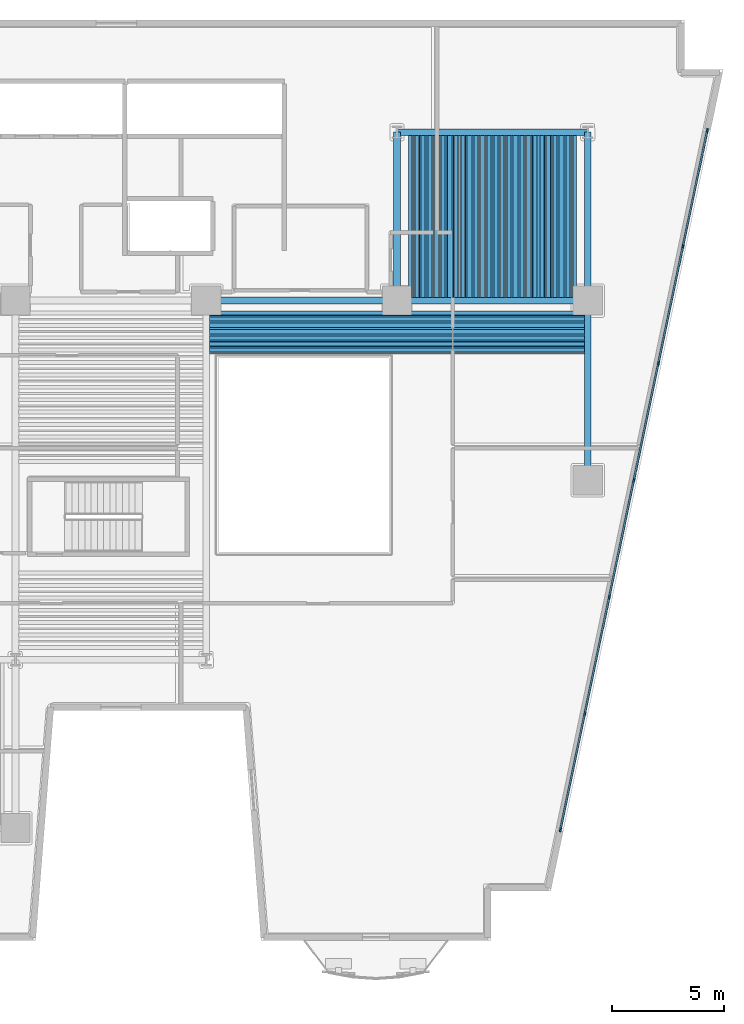
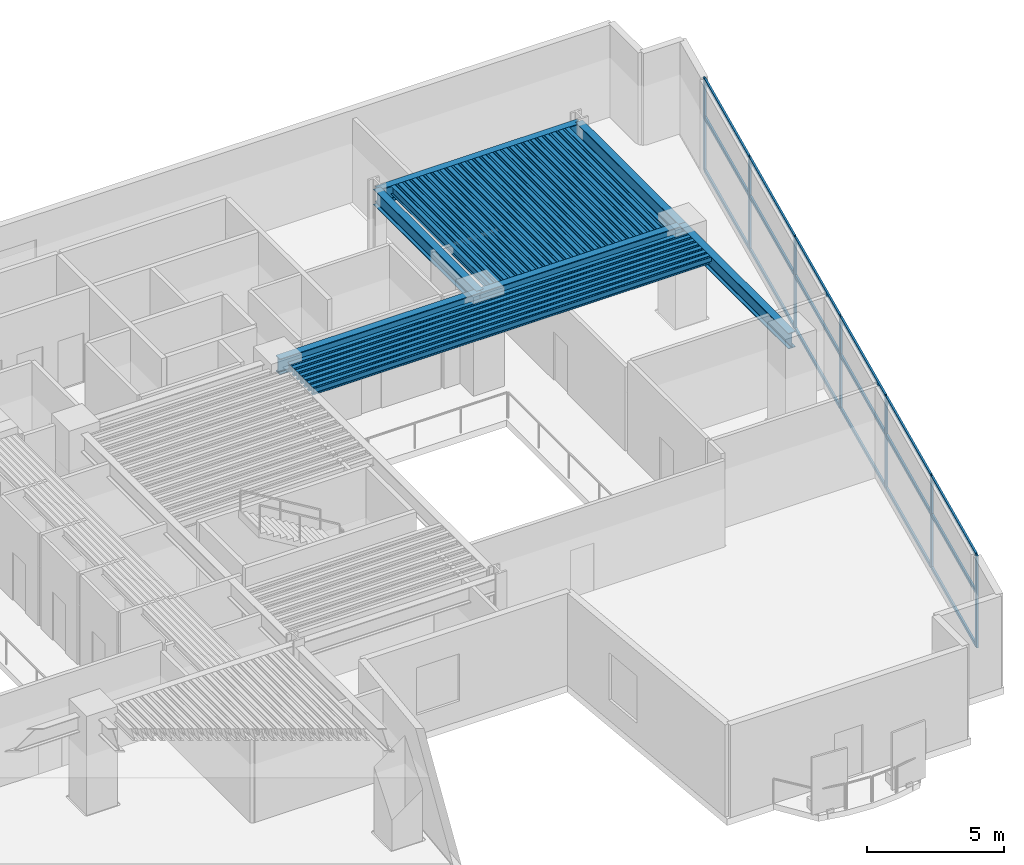
# One storey, part 2 of 11: 71 beams, 25 members, 1 element without a shape of its own.
"""IFC4 building model written with IfcOpenShell, lengths in metres."""

from ifc_helpers import new_model, si_unit, direction, frame, origin, origin_2d, place, context, subcontext, project, spatial, rectangle, hollow_rectangle, i_section, extrude, material, layer, layer_set, material_profile, profile_set, type_object, element, aggregate, save


model = new_model("IFC4")

# Units and contexts
model_context = context("Model", 3, precision=1e-05, world=origin(), true_north=direction((0.0, 1.0)))
body_context = subcontext(model_context, "Body", "Model", "MODEL_VIEW")
ifc_project = project(units=[si_unit("LENGTHUNIT", "METRE"), si_unit("AREAUNIT", "SQUARE_METRE"), si_unit("VOLUMEUNIT", "CUBIC_METRE"), si_unit("PLANEANGLEUNIT", "RADIAN"), si_unit("MASSUNIT", "GRAM", prefix="KILO")], contexts=[model_context])

# Site, building, storey
site_placement = place(None, origin())
site = spatial("IfcSite", under=ifc_project, at=site_placement, CompositionType="ELEMENT")
building_placement = place(site_placement, origin())
building = spatial("IfcBuilding", under=site, at=building_placement, Name="Caeloran Harvest Quay", CompositionType="ELEMENT")
storey_placement = place(building_placement, frame((0.0, 0.0, 66.60009765625)))
storey = spatial("IfcBuildingStorey", under=building, at=storey_placement, Name="L15", CompositionType="ELEMENT", Elevation=66.60009765625)

# Beams
ifc_material_1 = material(Name="Steel S355J2", Category="steel")
ifc_material_profile_1 = material_profile(ifc_material_1, i_section(OverallWidth=0.300048828125, OverallDepth=0.699951171875, WebThickness=0.01708984375, FlangeThickness=0.031982421875, FilletRadius=0.027099609375, at=origin_2d()), Name="HE 700 B")
ifc_profile_set_1 = profile_set([ifc_material_profile_1], Name="Steel S355J2")
beam_type_1 = type_object("IfcBeamType", Name="BM-PG-2-HE_700_B", PredefinedType="BEAM", material=ifc_profile_set_1)
for number, where, z_axis, x_axis, name in (
    (1, (34.0, 31.0, 3.75), (1.0, 0.0, 0.0), (0.0, 1.0, 0.0), "L15 Primary East-West Girder Y=31.0"),
    (2, (42.5, 31.0, 3.75), (1.0, 0.0, 0.0), (0.0, 1.0, 0.0), "L15 Primary East-West Girder Y=31.0"),
    (3, (42.5, 38.5, 3.75), (1.0, 0.0, 0.0), (0.0, 1.0, 0.0), "L15 Primary East-West Girder Y=38.5"),
):
    element("IfcBeam", number, at=place(storey_placement, frame(where, z_axis=z_axis, x_axis=x_axis)), inside=storey, type_object=beam_type_1, Name=name, PredefinedType="BEAM", context=body_context, shape_type="SweptSolid", body=[
        extrude(i_section(OverallWidth=0.300048828125, OverallDepth=0.699951171875, WebThickness=0.01708984375, FlangeThickness=0.031982421875, FilletRadius=0.027099609375, at=origin_2d()), origin(), (0.0, 0.0, 1.0), 8.5),
    ])
beam_1_placement = place(storey_placement, frame((42.5, 31.0, 3.75), z_axis=(0.0, 1.0, 0.0), x_axis=(-1.0, 0.0, 0.0)))
element("IfcBeam", 4, at=beam_1_placement, inside=storey, type_object=beam_type_1, Name="L15 Primary North-South Girder X=42.5", PredefinedType="BEAM", context=body_context, shape_type="SweptSolid", body=[
    extrude(i_section(OverallWidth=0.300048828125, OverallDepth=0.699951171875, WebThickness=0.01708984375, FlangeThickness=0.031982421875, FilletRadius=0.027099609375, at=origin_2d()), origin(), (0.0, 0.0, 1.0), 7.5),
])
beam_2_placement = place(storey_placement, frame((51.0, 23.0, 3.75), z_axis=(0.0, 1.0, 0.0), x_axis=(-1.0, 0.0, 0.0)))
element("IfcBeam", 5, at=beam_2_placement, inside=storey, type_object=beam_type_1, Name="L15 Primary North-South Girder X=51.0", PredefinedType="BEAM", context=body_context, shape_type="SweptSolid", body=[
    extrude(i_section(OverallWidth=0.300048828125, OverallDepth=0.699951171875, WebThickness=0.01708984375, FlangeThickness=0.031982421875, FilletRadius=0.027099609375, at=origin_2d()), origin(), (0.0, 0.0, 1.0), 8.0),
])
beam_3_placement = place(storey_placement, frame((51.0, 31.0, 3.75), z_axis=(0.0, 1.0, 0.0), x_axis=(-1.0, 0.0, 0.0)))
element("IfcBeam", 6, at=beam_3_placement, inside=storey, type_object=beam_type_1, Name="L15 Primary North-South Girder X=51.0", PredefinedType="BEAM", context=body_context, shape_type="SweptSolid", body=[
    extrude(i_section(OverallWidth=0.300048828125, OverallDepth=0.699951171875, WebThickness=0.01708984375, FlangeThickness=0.031982421875, FilletRadius=0.027099609375, at=origin_2d()), origin(), (0.0, 0.0, 1.0), 7.5),
])
ifc_material_profile_2 = material_profile(ifc_material_1, i_section(OverallWidth=0.169921875, OverallDepth=0.360107421875, WebThickness=0.008056640625, FlangeThickness=0.0126953125, FilletRadius=0.01806640625, at=origin_2d()), Name="IPE 360")
ifc_profile_set_2 = profile_set([ifc_material_profile_2], Name="Steel S355J2")
beam_type_2 = type_object("IfcBeamType", Name="BM-SB-5-IPE_360", PredefinedType="JOIST", material=ifc_profile_set_2)
for number, where, z_axis, x_axis, name in (
    (7, (43.086181640625, 31.14501953125, 3.919921875), (0.0, 1.0, 0.0), (-1.0, 0.0, 0.0), "L15 Secondary Composite Joist"),
    (8, (43.37939453125, 31.14501953125, 3.919921875), (0.0, 1.0, 0.0), (-1.0, 0.0, 0.0), "L15 Secondary Composite Joist"),
    (9, (43.67236328125, 31.14501953125, 3.919921875), (0.0, 1.0, 0.0), (-1.0, 0.0, 0.0), "L15 Secondary Composite Joist"),
    (10, (43.965576171875, 31.14501953125, 3.919921875), (0.0, 1.0, 0.0), (-1.0, 0.0, 0.0), "L15 Secondary Composite Joist"),
    (11, (44.258544921875, 31.14501953125, 3.919921875), (0.0, 1.0, 0.0), (-1.0, 0.0, 0.0), "L15 Secondary Composite Joist"),
    (12, (44.5517578125, 31.14501953125, 3.919921875), (0.0, 1.0, 0.0), (-1.0, 0.0, 0.0), "L15 Secondary Composite Joist"),
    (13, (44.8447265625, 31.14501953125, 3.919921875), (0.0, 1.0, 0.0), (-1.0, 0.0, 0.0), "L15 Secondary Composite Joist"),
    (14, (45.137939453125, 31.14501953125, 3.919921875), (0.0, 1.0, 0.0), (-1.0, 0.0, 0.0), "L15 Secondary Composite Joist"),
    (15, (45.430908203125, 31.14501953125, 3.919921875), (0.0, 1.0, 0.0), (-1.0, 0.0, 0.0), "L15 Secondary Composite Joist"),
    (16, (45.72412109375, 31.14501953125, 3.919921875), (0.0, 1.0, 0.0), (-1.0, 0.0, 0.0), "L15 Secondary Composite Joist"),
    (17, (46.01708984375, 31.14501953125, 3.919921875), (0.0, 1.0, 0.0), (-1.0, 0.0, 0.0), "L15 Secondary Composite Joist"),
    (18, (46.310302734375, 31.14501953125, 3.919921875), (0.0, 1.0, 0.0), (-1.0, 0.0, 0.0), "L15 Secondary Composite Joist"),
    (19, (46.603515625, 31.14501953125, 3.919921875), (0.0, 1.0, 0.0), (-1.0, 0.0, 0.0), "L15 Secondary Composite Joist"),
    (20, (46.896484375, 31.14501953125, 3.919921875), (0.0, 1.0, 0.0), (-1.0, 0.0, 0.0), "L15 Secondary Composite Joist"),
    (21, (47.189697265625, 31.14501953125, 3.919921875), (0.0, 1.0, 0.0), (-1.0, 0.0, 0.0), "L15 Secondary Composite Joist"),
    (22, (47.48291015625, 31.14501953125, 3.919921875), (0.0, 1.0, 0.0), (-1.0, 0.0, 0.0), "L15 Secondary Composite Joist"),
    (23, (47.77587890625, 31.14501953125, 3.919921875), (0.0, 1.0, 0.0), (-1.0, 0.0, 0.0), "L15 Secondary Composite Joist"),
    (24, (48.069091796875, 31.14501953125, 3.919921875), (0.0, 1.0, 0.0), (-1.0, 0.0, 0.0), "L15 Secondary Composite Joist"),
    (25, (48.362060546875, 31.14501953125, 3.919921875), (0.0, 1.0, 0.0), (-1.0, 0.0, 0.0), "L15 Secondary Composite Joist"),
    (26, (48.6552734375, 31.14501953125, 3.919921875), (0.0, 1.0, 0.0), (-1.0, 0.0, 0.0), "L15 Secondary Composite Joist"),
    (27, (48.9482421875, 31.14501953125, 3.919921875), (0.0, 1.0, 0.0), (-1.0, 0.0, 0.0), "L15 Secondary Composite Joist"),
    (28, (49.241455078125, 31.14501953125, 3.919921875), (0.0, 1.0, 0.0), (-1.0, 0.0, 0.0), "L15 Secondary Composite Joist"),
    (29, (49.534423828125, 31.14501953125, 3.919921875), (0.0, 1.0, 0.0), (-1.0, 0.0, 0.0), "L15 Secondary Composite Joist"),
    (30, (49.82763671875, 31.14501953125, 3.919921875), (0.0, 1.0, 0.0), (-1.0, 0.0, 0.0), "L15 Secondary Composite Joist"),
    (31, (50.12060546875, 31.14501953125, 3.919921875), (0.0, 1.0, 0.0), (-1.0, 0.0, 0.0), "L15 Secondary Composite Joist"),
    (32, (50.413818359375, 31.14501953125, 3.919921875), (0.0, 1.0, 0.0), (-1.0, 0.0, 0.0), "L15 Secondary Composite Joist"),
):
    element("IfcBeam", number, at=place(storey_placement, frame(where, z_axis=z_axis, x_axis=x_axis)), inside=storey, type_object=beam_type_2, Name=name, PredefinedType="JOIST", context=body_context, shape_type="SweptSolid", body=[
        extrude(i_section(OverallWidth=0.169921875, OverallDepth=0.360107421875, WebThickness=0.008056640625, FlangeThickness=0.0126953125, FilletRadius=0.01806640625, at=origin_2d()), origin(), (0.0, 0.0, 1.0), 7.2099609375),
    ])
for number, where, z_axis, x_axis, name in (
    (33, (34.14501953125, 28.793212890625, 3.919921875), (1.0, 0.0, 0.0), (0.0, 1.0, 0.0), "L15 Secondary East-West Composite Joist"),
    (34, (34.14501953125, 29.069091796875, 3.919921875), (1.0, 0.0, 0.0), (0.0, 1.0, 0.0), "L15 Secondary East-West Composite Joist"),
    (35, (34.14501953125, 29.3447265625, 3.919921875), (1.0, 0.0, 0.0), (0.0, 1.0, 0.0), "L15 Secondary East-West Composite Joist"),
    (36, (34.14501953125, 29.62060546875, 3.919921875), (1.0, 0.0, 0.0), (0.0, 1.0, 0.0), "L15 Secondary East-West Composite Joist"),
    (37, (34.14501953125, 29.896484375, 3.919921875), (1.0, 0.0, 0.0), (0.0, 1.0, 0.0), "L15 Secondary East-West Composite Joist"),
    (38, (34.14501953125, 30.17236328125, 3.919921875), (1.0, 0.0, 0.0), (0.0, 1.0, 0.0), "L15 Secondary East-West Composite Joist"),
    (39, (34.14501953125, 30.4482421875, 3.919921875), (1.0, 0.0, 0.0), (0.0, 1.0, 0.0), "L15 Secondary East-West Composite Joist"),
):
    element("IfcBeam", number, at=place(storey_placement, frame(where, z_axis=z_axis, x_axis=x_axis)), inside=storey, type_object=beam_type_2, Name=name, PredefinedType="JOIST", context=body_context, shape_type="SweptSolid", body=[
        extrude(i_section(OverallWidth=0.169921875, OverallDepth=0.360107421875, WebThickness=0.008056640625, FlangeThickness=0.0126953125, FilletRadius=0.01806640625, at=origin_2d()), origin(), (0.0, 0.0, 1.0), 16.7099609375),
    ])
ifc_material_profile_3 = material_profile(ifc_material_1, hollow_rectangle(XDim=0.080078125, YDim=0.199951171875, WallThickness=0.006103515625, InnerFilletRadius=0.006103515625, OuterFilletRadius=0.009033203125, at=origin_2d()), Name="RHS 200x80x6")
ifc_profile_set_3 = profile_set([ifc_material_profile_3], Name="Steel S355J2")
beam_type_3 = type_object("IfcBeamType", Name="BM-SB-7-RHS_200x80x6", PredefinedType="JOIST", material=ifc_profile_set_3)
for number, where, z_axis, x_axis, name in (
    (40, (43.23291015625, 31.14501953125, 4.0), (0.0, 1.0, 0.0), (-1.0, 0.0, 0.0), "L15 Secondary Composite Joist"),
    (41, (43.52587890625, 31.14501953125, 4.0), (0.0, 1.0, 0.0), (-1.0, 0.0, 0.0), "L15 Secondary Composite Joist"),
    (42, (43.819091796875, 31.14501953125, 4.0), (0.0, 1.0, 0.0), (-1.0, 0.0, 0.0), "L15 Secondary Composite Joist"),
    (43, (44.112060546875, 31.14501953125, 4.0), (0.0, 1.0, 0.0), (-1.0, 0.0, 0.0), "L15 Secondary Composite Joist"),
    (44, (44.4052734375, 31.14501953125, 4.0), (0.0, 1.0, 0.0), (-1.0, 0.0, 0.0), "L15 Secondary Composite Joist"),
    (45, (44.6982421875, 31.14501953125, 4.0), (0.0, 1.0, 0.0), (-1.0, 0.0, 0.0), "L15 Secondary Composite Joist"),
    (46, (44.991455078125, 31.14501953125, 4.0), (0.0, 1.0, 0.0), (-1.0, 0.0, 0.0), "L15 Secondary Composite Joist"),
    (47, (45.284423828125, 31.14501953125, 4.0), (0.0, 1.0, 0.0), (-1.0, 0.0, 0.0), "L15 Secondary Composite Joist"),
    (48, (45.57763671875, 31.14501953125, 4.0), (0.0, 1.0, 0.0), (-1.0, 0.0, 0.0), "L15 Secondary Composite Joist"),
    (49, (45.87060546875, 31.14501953125, 4.0), (0.0, 1.0, 0.0), (-1.0, 0.0, 0.0), "L15 Secondary Composite Joist"),
    (50, (46.163818359375, 31.14501953125, 4.0), (0.0, 1.0, 0.0), (-1.0, 0.0, 0.0), "L15 Secondary Composite Joist"),
    (51, (46.456787109375, 31.14501953125, 4.0), (0.0, 1.0, 0.0), (-1.0, 0.0, 0.0), "L15 Secondary Composite Joist"),
    (52, (46.75, 31.14501953125, 4.0), (0.0, 1.0, 0.0), (-1.0, 0.0, 0.0), "L15 Secondary Composite Joist"),
    (53, (47.043212890625, 31.14501953125, 4.0), (0.0, 1.0, 0.0), (-1.0, 0.0, 0.0), "L15 Secondary Composite Joist"),
    (54, (47.336181640625, 31.14501953125, 4.0), (0.0, 1.0, 0.0), (-1.0, 0.0, 0.0), "L15 Secondary Composite Joist"),
    (55, (47.62939453125, 31.14501953125, 4.0), (0.0, 1.0, 0.0), (-1.0, 0.0, 0.0), "L15 Secondary Composite Joist"),
    (56, (47.92236328125, 31.14501953125, 4.0), (0.0, 1.0, 0.0), (-1.0, 0.0, 0.0), "L15 Secondary Composite Joist"),
    (57, (48.215576171875, 31.14501953125, 4.0), (0.0, 1.0, 0.0), (-1.0, 0.0, 0.0), "L15 Secondary Composite Joist"),
    (58, (48.508544921875, 31.14501953125, 4.0), (0.0, 1.0, 0.0), (-1.0, 0.0, 0.0), "L15 Secondary Composite Joist"),
    (59, (48.8017578125, 31.14501953125, 4.0), (0.0, 1.0, 0.0), (-1.0, 0.0, 0.0), "L15 Secondary Composite Joist"),
    (60, (49.0947265625, 31.14501953125, 4.0), (0.0, 1.0, 0.0), (-1.0, 0.0, 0.0), "L15 Secondary Composite Joist"),
    (61, (49.387939453125, 31.14501953125, 4.0), (0.0, 1.0, 0.0), (-1.0, 0.0, 0.0), "L15 Secondary Composite Joist"),
    (62, (49.680908203125, 31.14501953125, 4.0), (0.0, 1.0, 0.0), (-1.0, 0.0, 0.0), "L15 Secondary Composite Joist"),
    (63, (49.97412109375, 31.14501953125, 4.0), (0.0, 1.0, 0.0), (-1.0, 0.0, 0.0), "L15 Secondary Composite Joist"),
    (64, (50.26708984375, 31.14501953125, 4.0), (0.0, 1.0, 0.0), (-1.0, 0.0, 0.0), "L15 Secondary Composite Joist"),
):
    element("IfcBeam", number, at=place(storey_placement, frame(where, z_axis=z_axis, x_axis=x_axis)), inside=storey, type_object=beam_type_3, Name=name, PredefinedType="JOIST", context=body_context, shape_type="SweptSolid", body=[
        extrude(hollow_rectangle(XDim=0.080078125, YDim=0.199951171875, WallThickness=0.006103515625, InnerFilletRadius=0.006103515625, OuterFilletRadius=0.009033203125, at=origin_2d()), origin(), (0.0, 0.0, 1.0), 7.2099609375),
    ])
for number, where, z_axis, x_axis, name in (
    (65, (34.14501953125, 28.6552734375, 4.0), (1.0, 0.0, 0.0), (0.0, 1.0, 0.0), "L15 Secondary East-West Composite Joist"),
    (66, (34.14501953125, 28.930908203125, 4.0), (1.0, 0.0, 0.0), (0.0, 1.0, 0.0), "L15 Secondary East-West Composite Joist"),
    (67, (34.14501953125, 29.206787109375, 4.0), (1.0, 0.0, 0.0), (0.0, 1.0, 0.0), "L15 Secondary East-West Composite Joist"),
    (68, (34.14501953125, 29.48291015625, 4.0), (1.0, 0.0, 0.0), (0.0, 1.0, 0.0), "L15 Secondary East-West Composite Joist"),
    (69, (34.14501953125, 29.758544921875, 4.0), (1.0, 0.0, 0.0), (0.0, 1.0, 0.0), "L15 Secondary East-West Composite Joist"),
    (70, (34.14501953125, 30.034423828125, 4.0), (1.0, 0.0, 0.0), (0.0, 1.0, 0.0), "L15 Secondary East-West Composite Joist"),
    (71, (34.14501953125, 30.310302734375, 4.0), (1.0, 0.0, 0.0), (0.0, 1.0, 0.0), "L15 Secondary East-West Composite Joist"),
):
    element("IfcBeam", number, at=place(storey_placement, frame(where, z_axis=z_axis, x_axis=x_axis)), inside=storey, type_object=beam_type_3, Name=name, PredefinedType="JOIST", context=body_context, shape_type="SweptSolid", body=[
        extrude(hollow_rectangle(XDim=0.080078125, YDim=0.199951171875, WallThickness=0.006103515625, InnerFilletRadius=0.006103515625, OuterFilletRadius=0.009033203125, at=origin_2d()), origin(), (0.0, 0.0, 1.0), 16.7099609375),
    ])

# Curtain wall, members
ifc_material_2 = material(Name="Aluminium 6063-T6 and Low-E Glazing", Category="aluminium")
ifc_layer = layer(ifc_material_2, 0.199951171875, Name="Aluminium 6063-T6 and Low-E Glazing")
ifc_layer_set = layer_set([ifc_layer], Name="Aluminium 6063-T6 and Low-E Glazing")
curtain_wall_type = type_object("IfcCurtainWallType", Name="CW-SYS-CW-2", PredefinedType="USERDEFINED", material=ifc_layer_set)
curtain_wall_placement = place(storey_placement, origin())
curtain_wall = element("IfcCurtainWall", 72, at=curtain_wall_placement, inside=storey, type_object=curtain_wall_type, Name="L15 Unitised Curtain Wall CW-2 Run 9", ObjectType="CURTAIN_WALL", PredefinedType="USERDEFINED")
ifc_material_3 = material(Name="Aluminium 6063-T6", Category="aluminium")
ifc_material_profile_4 = material_profile(ifc_material_3, rectangle(XDim=0.080078125, YDim=0.179931640625, at=origin_2d()), Name="CW-MULLION-180")
ifc_profile_set_4 = profile_set([ifc_material_profile_4], Name="Aluminium 6063-T6")
member_type_1 = type_object("IfcMemberType", Name="CW-MULLION-180", PredefinedType="MULLION", material=ifc_profile_set_4)
member_1_placement = place(storey_placement, frame((56.322509765625, 38.576416015625, 0.0), z_axis=(0.0, 0.0, 1.0), x_axis=(0.978639691881, -0.205582960081, 0.0)))
member_1 = element("IfcMember", 73, at=member_1_placement, type_object=member_type_1, Name="CW-2 mullion 1", PredefinedType="MULLION", context=body_context, shape_type="SweptSolid", body=[
    extrude(rectangle(XDim=0.080078125, YDim=0.179931640625, at=origin_2d()), origin(), (0.0, 0.0, 1.0), 4.099853515625),
])
member_2_placement = place(storey_placement, frame((55.2373046875, 33.410400390625, 0.0), z_axis=(0.0, 0.0, 1.0), x_axis=(0.978639691881, -0.205582960081, 0.0)))
member_2 = element("IfcMember", 74, at=member_2_placement, type_object=member_type_1, Name="CW-2 mullion 2", PredefinedType="MULLION", context=body_context, shape_type="SweptSolid", body=[
    extrude(rectangle(XDim=0.080078125, YDim=0.179931640625, at=origin_2d()), origin(), (0.0, 0.0, 1.0), 4.099853515625),
])
member_3_placement = place(storey_placement, frame((54.143798828125, 28.205078125, 0.0), z_axis=(0.0, 0.0, 1.0), x_axis=(0.978639691881, -0.205582960081, 0.0)))
member_3 = element("IfcMember", 75, at=member_3_placement, type_object=member_type_1, Name="CW-2 mullion 3", PredefinedType="MULLION", context=body_context, shape_type="SweptSolid", body=[
    extrude(rectangle(XDim=0.080078125, YDim=0.179931640625, at=origin_2d()), origin(), (0.0, 0.0, 1.0), 4.099853515625),
])
member_4_placement = place(storey_placement, frame((53.050537109375, 23.0, 0.0), z_axis=(0.0, 0.0, 1.0), x_axis=(0.978639691881, -0.205582960081, 0.0)))
member_4 = element("IfcMember", 76, at=member_4_placement, type_object=member_type_1, Name="CW-2 mullion 4", PredefinedType="MULLION", context=body_context, shape_type="SweptSolid", body=[
    extrude(rectangle(XDim=0.080078125, YDim=0.179931640625, at=origin_2d()), origin(), (0.0, 0.0, 1.0), 4.099853515625),
])
member_5_placement = place(storey_placement, frame((51.95703125, 17.794921875, 0.0), z_axis=(0.0, 0.0, 1.0), x_axis=(0.978639691881, -0.205582960081, 0.0)))
member_5 = element("IfcMember", 77, at=member_5_placement, type_object=member_type_1, Name="CW-2 mullion 5", PredefinedType="MULLION", context=body_context, shape_type="SweptSolid", body=[
    extrude(rectangle(XDim=0.080078125, YDim=0.179931640625, at=origin_2d()), origin(), (0.0, 0.0, 1.0), 4.099853515625),
])
member_6_placement = place(storey_placement, frame((50.863525390625, 12.589599609375, 0.0), z_axis=(0.0, 0.0, 1.0), x_axis=(0.978639691881, -0.205582960081, 0.0)))
member_6 = element("IfcMember", 78, at=member_6_placement, type_object=member_type_1, Name="CW-2 mullion 6", PredefinedType="MULLION", context=body_context, shape_type="SweptSolid", body=[
    extrude(rectangle(XDim=0.080078125, YDim=0.179931640625, at=origin_2d()), origin(), (0.0, 0.0, 1.0), 4.099853515625),
])
member_7_placement = place(storey_placement, frame((49.7783203125, 7.423583984375, 0.0), z_axis=(0.0, 0.0, 1.0), x_axis=(0.978639691881, -0.205582960081, 0.0)))
member_7 = element("IfcMember", 79, at=member_7_placement, type_object=member_type_1, Name="CW-2 mullion 7", PredefinedType="MULLION", context=body_context, shape_type="SweptSolid", body=[
    extrude(rectangle(XDim=0.080078125, YDim=0.179931640625, at=origin_2d()), origin(), (0.0, 0.0, 1.0), 4.099853515625),
])
ifc_material_profile_5 = material_profile(ifc_material_3, rectangle(XDim=0.080078125, YDim=0.14990234375, at=origin_2d()), Name="CW-TRANSOM-150")
ifc_profile_set_5 = profile_set([ifc_material_profile_5], Name="Aluminium 6063-T6")
member_type_2 = type_object("IfcMemberType", Name="CW-TRANSOM-150", PredefinedType="USERDEFINED", material=ifc_profile_set_5)
member_8_placement = place(storey_placement, frame((56.314453125, 38.537109375, 0.039794921875), z_axis=(-0.205598644178, -0.978636396989, 0.0), x_axis=(0.978636396989, -0.205598644178, 0.0)))
member_8 = element("IfcMember", 80, at=member_8_placement, type_object=member_type_2, Name="CW-2 transom 1.1", ObjectType="TRANSOM", PredefinedType="USERDEFINED", context=body_context, shape_type="SweptSolid", body=[
    extrude(rectangle(XDim=0.080078125, YDim=0.14990234375, at=origin_2d()), origin(), (0.0, 0.0, 1.0), 5.19873046875),
])
member_9_placement = place(storey_placement, frame((56.314453125, 38.537109375, 2.39990234375), z_axis=(-0.205598644178, -0.978636396989, 0.0), x_axis=(0.978636396989, -0.205598644178, 0.0)))
member_9 = element("IfcMember", 81, at=member_9_placement, type_object=member_type_2, Name="CW-2 transom 1.2", ObjectType="TRANSOM", PredefinedType="USERDEFINED", context=body_context, shape_type="SweptSolid", body=[
    extrude(rectangle(XDim=0.080078125, YDim=0.14990234375, at=origin_2d()), origin(), (0.0, 0.0, 1.0), 5.19873046875),
])
member_10_placement = place(storey_placement, frame((56.314453125, 38.537109375, 4.059814453125), z_axis=(-0.205598644178, -0.978636396989, 0.0), x_axis=(0.978636396989, -0.205598644178, 0.0)))
member_10 = element("IfcMember", 82, at=member_10_placement, type_object=member_type_2, Name="CW-2 transom 1.3", ObjectType="TRANSOM", PredefinedType="USERDEFINED", context=body_context, shape_type="SweptSolid", body=[
    extrude(rectangle(XDim=0.080078125, YDim=0.14990234375, at=origin_2d()), origin(), (0.0, 0.0, 1.0), 5.19873046875),
])
member_11_placement = place(storey_placement, frame((55.229248046875, 33.37109375, 0.039794921875), z_axis=(-0.205615877389, -0.97863277636, 0.0), x_axis=(0.97863277636, -0.205615877389, 0.0)))
member_11 = element("IfcMember", 83, at=member_11_placement, type_object=member_type_2, Name="CW-2 transom 2.1", ObjectType="TRANSOM", PredefinedType="USERDEFINED", context=body_context, shape_type="SweptSolid", body=[
    extrude(rectangle(XDim=0.080078125, YDim=0.14990234375, at=origin_2d()), origin(), (0.0, 0.0, 1.0), 5.238525390625),
])
member_12_placement = place(storey_placement, frame((55.229248046875, 33.37109375, 2.39990234375), z_axis=(-0.205615877389, -0.97863277636, 0.0), x_axis=(0.97863277636, -0.205615877389, 0.0)))
member_12 = element("IfcMember", 84, at=member_12_placement, type_object=member_type_2, Name="CW-2 transom 2.2", ObjectType="TRANSOM", PredefinedType="USERDEFINED", context=body_context, shape_type="SweptSolid", body=[
    extrude(rectangle(XDim=0.080078125, YDim=0.14990234375, at=origin_2d()), origin(), (0.0, 0.0, 1.0), 5.238525390625),
])
member_13_placement = place(storey_placement, frame((55.229248046875, 33.37109375, 4.059814453125), z_axis=(-0.205615877389, -0.97863277636, 0.0), x_axis=(0.97863277636, -0.205615877389, 0.0)))
member_13 = element("IfcMember", 85, at=member_13_placement, type_object=member_type_2, Name="CW-2 transom 2.3", ObjectType="TRANSOM", PredefinedType="USERDEFINED", context=body_context, shape_type="SweptSolid", body=[
    extrude(rectangle(XDim=0.080078125, YDim=0.14990234375, at=origin_2d()), origin(), (0.0, 0.0, 1.0), 5.238525390625),
])
member_14_placement = place(storey_placement, frame((54.1357421875, 28.166015625, 0.039794921875), z_axis=(-0.205606500081, -0.978634746534, 0.0), x_axis=(0.978634746534, -0.205606500081, 0.0)))
member_14 = element("IfcMember", 86, at=member_14_placement, type_object=member_type_2, Name="CW-2 transom 3.1", ObjectType="TRANSOM", PredefinedType="USERDEFINED", context=body_context, shape_type="SweptSolid", body=[
    extrude(rectangle(XDim=0.080078125, YDim=0.14990234375, at=origin_2d()), origin(), (0.0, 0.0, 1.0), 5.23876953125),
])
member_15_placement = place(storey_placement, frame((54.1357421875, 28.166015625, 2.39990234375), z_axis=(-0.205606500081, -0.978634746534, 0.0), x_axis=(0.978634746534, -0.205606500081, 0.0)))
member_15 = element("IfcMember", 87, at=member_15_placement, type_object=member_type_2, Name="CW-2 transom 3.2", ObjectType="TRANSOM", PredefinedType="USERDEFINED", context=body_context, shape_type="SweptSolid", body=[
    extrude(rectangle(XDim=0.080078125, YDim=0.14990234375, at=origin_2d()), origin(), (0.0, 0.0, 1.0), 5.23876953125),
])
member_16_placement = place(storey_placement, frame((54.1357421875, 28.166015625, 4.059814453125), z_axis=(-0.205606500081, -0.978634746534, 0.0), x_axis=(0.978634746534, -0.205606500081, 0.0)))
member_16 = element("IfcMember", 88, at=member_16_placement, type_object=member_type_2, Name="CW-2 transom 3.3", ObjectType="TRANSOM", PredefinedType="USERDEFINED", context=body_context, shape_type="SweptSolid", body=[
    extrude(rectangle(XDim=0.080078125, YDim=0.14990234375, at=origin_2d()), origin(), (0.0, 0.0, 1.0), 5.23876953125),
])
member_17_placement = place(storey_placement, frame((53.042236328125, 22.9609375, 0.039794921875), z_axis=(-0.205561867825, -0.978644122496, 0.0), x_axis=(0.978644122496, -0.205561867825, 0.0)))
member_17 = element("IfcMember", 89, at=member_17_placement, type_object=member_type_2, Name="CW-2 transom 4.1", ObjectType="TRANSOM", PredefinedType="USERDEFINED", context=body_context, shape_type="SweptSolid", body=[
    extrude(rectangle(XDim=0.080078125, YDim=0.14990234375, at=origin_2d()), origin(), (0.0, 0.0, 1.0), 5.23876953125),
])
member_18_placement = place(storey_placement, frame((53.042236328125, 22.9609375, 2.39990234375), z_axis=(-0.205561867825, -0.978644122496, 0.0), x_axis=(0.978644122496, -0.205561867825, 0.0)))
member_18 = element("IfcMember", 90, at=member_18_placement, type_object=member_type_2, Name="CW-2 transom 4.2", ObjectType="TRANSOM", PredefinedType="USERDEFINED", context=body_context, shape_type="SweptSolid", body=[
    extrude(rectangle(XDim=0.080078125, YDim=0.14990234375, at=origin_2d()), origin(), (0.0, 0.0, 1.0), 5.23876953125),
])
member_19_placement = place(storey_placement, frame((53.042236328125, 22.9609375, 4.059814453125), z_axis=(-0.205561867825, -0.978644122496, 0.0), x_axis=(0.978644122496, -0.205561867825, 0.0)))
member_19 = element("IfcMember", 91, at=member_19_placement, type_object=member_type_2, Name="CW-2 transom 4.3", ObjectType="TRANSOM", PredefinedType="USERDEFINED", context=body_context, shape_type="SweptSolid", body=[
    extrude(rectangle(XDim=0.080078125, YDim=0.14990234375, at=origin_2d()), origin(), (0.0, 0.0, 1.0), 5.23876953125),
])
member_20_placement = place(storey_placement, frame((51.94873046875, 17.755615234375, 0.039794921875), z_axis=(-0.205571243277, -0.978642153158, 0.0), x_axis=(0.978642153158, -0.205571243277, 0.0)))
member_20 = element("IfcMember", 92, at=member_20_placement, type_object=member_type_2, Name="CW-2 transom 5.1", ObjectType="TRANSOM", PredefinedType="USERDEFINED", context=body_context, shape_type="SweptSolid", body=[
    extrude(rectangle(XDim=0.080078125, YDim=0.14990234375, at=origin_2d()), origin(), (0.0, 0.0, 1.0), 5.238525390625),
])
member_21_placement = place(storey_placement, frame((51.94873046875, 17.755615234375, 2.39990234375), z_axis=(-0.205571243277, -0.978642153158, 0.0), x_axis=(0.978642153158, -0.205571243277, 0.0)))
member_21 = element("IfcMember", 93, at=member_21_placement, type_object=member_type_2, Name="CW-2 transom 5.2", ObjectType="TRANSOM", PredefinedType="USERDEFINED", context=body_context, shape_type="SweptSolid", body=[
    extrude(rectangle(XDim=0.080078125, YDim=0.14990234375, at=origin_2d()), origin(), (0.0, 0.0, 1.0), 5.238525390625),
])
member_22_placement = place(storey_placement, frame((51.94873046875, 17.755615234375, 4.059814453125), z_axis=(-0.205571243277, -0.978642153158, 0.0), x_axis=(0.978642153158, -0.205571243277, 0.0)))
member_22 = element("IfcMember", 94, at=member_22_placement, type_object=member_type_2, Name="CW-2 transom 5.3", ObjectType="TRANSOM", PredefinedType="USERDEFINED", context=body_context, shape_type="SweptSolid", body=[
    extrude(rectangle(XDim=0.080078125, YDim=0.14990234375, at=origin_2d()), origin(), (0.0, 0.0, 1.0), 5.238525390625),
])
member_23_placement = place(storey_placement, frame((50.855224609375, 12.550537109375, 0.039794921875), z_axis=(-0.205553666865, -0.978645845052, 0.0), x_axis=(0.978645845052, -0.205553666865, 0.0)))
member_23 = element("IfcMember", 95, at=member_23_placement, type_object=member_type_2, Name="CW-2 transom 6.1", ObjectType="TRANSOM", PredefinedType="USERDEFINED", context=body_context, shape_type="SweptSolid", body=[
    extrude(rectangle(XDim=0.080078125, YDim=0.14990234375, at=origin_2d()), origin(), (0.0, 0.0, 1.0), 5.19873046875),
])
member_24_placement = place(storey_placement, frame((50.855224609375, 12.550537109375, 2.39990234375), z_axis=(-0.205553666865, -0.978645845052, 0.0), x_axis=(0.978645845052, -0.205553666865, 0.0)))
member_24 = element("IfcMember", 96, at=member_24_placement, type_object=member_type_2, Name="CW-2 transom 6.2", ObjectType="TRANSOM", PredefinedType="USERDEFINED", context=body_context, shape_type="SweptSolid", body=[
    extrude(rectangle(XDim=0.080078125, YDim=0.14990234375, at=origin_2d()), origin(), (0.0, 0.0, 1.0), 5.19873046875),
])
member_25_placement = place(storey_placement, frame((50.855224609375, 12.550537109375, 4.059814453125), z_axis=(-0.205553666865, -0.978645845052, 0.0), x_axis=(0.978645845052, -0.205553666865, 0.0)))
member_25 = element("IfcMember", 97, at=member_25_placement, type_object=member_type_2, Name="CW-2 transom 6.3", ObjectType="TRANSOM", PredefinedType="USERDEFINED", context=body_context, shape_type="SweptSolid", body=[
    extrude(rectangle(XDim=0.080078125, YDim=0.14990234375, at=origin_2d()), origin(), (0.0, 0.0, 1.0), 5.19873046875),
])
aggregate(curtain_wall, [member_1, member_2, member_3, member_4, member_5, member_6, member_7, member_8, member_9, member_10, member_11, member_12, member_13, member_14, member_15, member_16, member_17, member_18, member_19, member_20, member_21, member_22, member_23, member_24, member_25])

save(model, "model.ifc")
